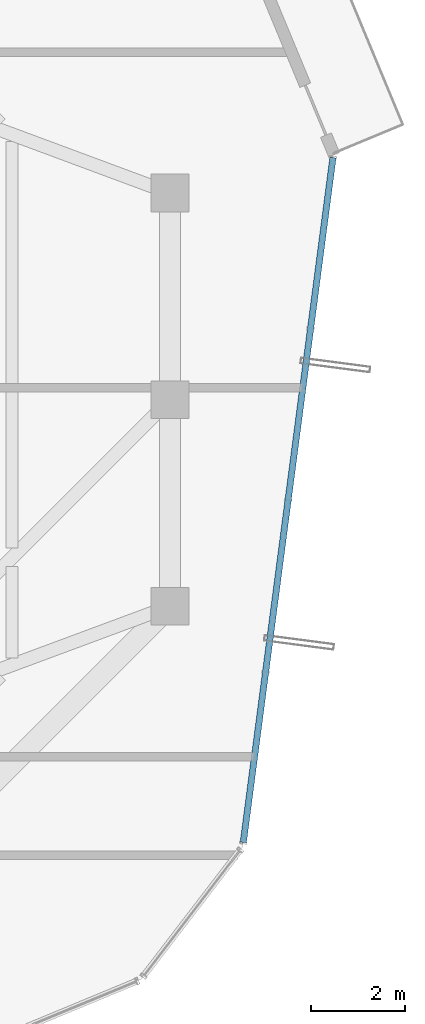
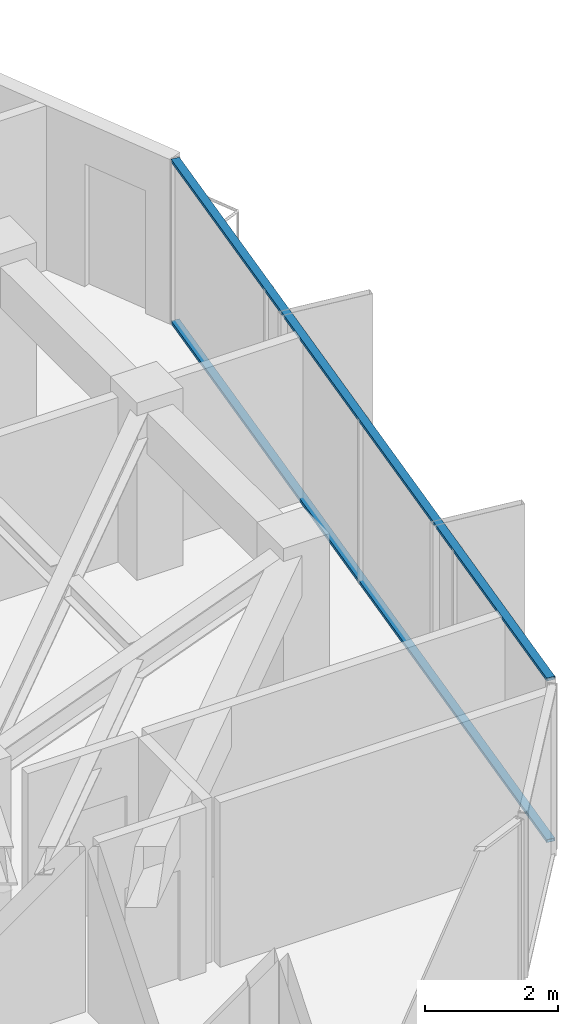
# One storey, part 21 of 31: 2 members, 1 element without a shape of its own.
"""IFC4 building model written with IfcOpenShell, lengths in metres."""

from ifc_helpers import new_model, si_unit, direction, frame, origin, origin_2d, place, context, subcontext, project, spatial, hollow_rectangle, extrude, source, transform, mapped, material, layer, layer_set, material_profile, profile_set, type_object, element, aggregate, save


model = new_model("IFC4")

# Units and contexts
model_context = context("Model", 3, precision=1e-05, world=origin(), true_north=direction((0.0, 1.0)))
body_context = subcontext(model_context, "Body", "Model", "MODEL_VIEW")
ifc_project = project(units=[si_unit("LENGTHUNIT", "METRE"), si_unit("AREAUNIT", "SQUARE_METRE"), si_unit("VOLUMEUNIT", "CUBIC_METRE"), si_unit("PLANEANGLEUNIT", "RADIAN"), si_unit("MASSUNIT", "GRAM", prefix="KILO")], contexts=[model_context])

# Site, building, storey
site_placement = place(None, origin())
site = spatial("IfcSite", under=ifc_project, at=site_placement, CompositionType="ELEMENT")
building_placement = place(site_placement, origin())
building = spatial("IfcBuilding", under=site, at=building_placement, Name="Veraguas Prism Commons", CompositionType="ELEMENT")
storey_placement = place(building_placement, frame((0.0, 0.0, 233.300048828125)))
storey = spatial("IfcBuildingStorey", under=building, at=storey_placement, Name="L66", CompositionType="ELEMENT", Elevation=233.300048828125)

# Curtain wall, members
ifc_material = material(Name="Anodised aluminium EN AW-6063 T6", Category="aluminium")
ifc_layer = layer(ifc_material, 0.14990234375, Name="Unitised Flush Curtain Wall Zone 4", Category="aluminium")
ifc_layer_set = layer_set([ifc_layer], Name="Anodised aluminium EN AW-6063 T6")
curtain_wall_type = type_object("IfcCurtainWallType", Name="Unitised Flush Curtain Wall Zone 4", PredefinedType="NOTDEFINED", material=ifc_layer_set)
curtain_wall_placement = place(storey_placement, origin())
curtain_wall = element("IfcCurtainWall", 1, at=curtain_wall_placement, inside=storey, type_object=curtain_wall_type, Name="Tower Facade Curtain Wall L66-F6", PredefinedType="NOTDEFINED")
ifc_material_profile = material_profile(ifc_material, hollow_rectangle(XDim=0.054931640625, YDim=0.135009765625, WallThickness=0.0029296875, at=origin_2d()), Name="AL55X135X3")
ifc_profile_set = profile_set([ifc_material_profile], Name="Anodised aluminium EN AW-6063 T6")
member_type = type_object("IfcMemberType", Name="Curtain Wall Transom Standard AL 55x135x3", PredefinedType="USERDEFINED", material=ifc_profile_set)
shared_shape = source(origin(), body_context, "Body", "SweptSolid", [
    extrude(hollow_rectangle(XDim=0.054931640625, YDim=0.135009765625, WallThickness=0.0029296875, at=origin_2d()), origin(), (0.0, 0.0, 1.0), 14.706298828125),
])
member_1_placement = place(storey_placement, frame((39.360595703125, 14.57275390625, 0.02734375), z_axis=(0.129837386589, 0.991535300957, 0.0), x_axis=(0.0, 0.0, 1.0)))
member_1 = element("IfcMember", 2, at=member_1_placement, type_object=member_type, Name="CW-Z4 Transom 1", ObjectType="TRANSOM", PredefinedType="USERDEFINED", context=body_context, shape_type="MappedRepresentation", body=[
    mapped(shared_shape, transform((0.0, 0.0, 0.0), scale=1.0)),
])
member_2_placement = place(storey_placement, frame((39.360595703125, 14.57275390625, 2.987548828125), z_axis=(0.129837386589, 0.991535300957, 0.0), x_axis=(0.0, 0.0, 1.0)))
member_2 = element("IfcMember", 3, at=member_2_placement, type_object=member_type, Name="CW-Z4 Transom 2", ObjectType="TRANSOM", PredefinedType="USERDEFINED", context=body_context, shape_type="MappedRepresentation", body=[
    mapped(shared_shape, transform((0.0, 0.0, 0.0), scale=1.0)),
])
aggregate(curtain_wall, [member_1, member_2])

save(model, "model.ifc")
